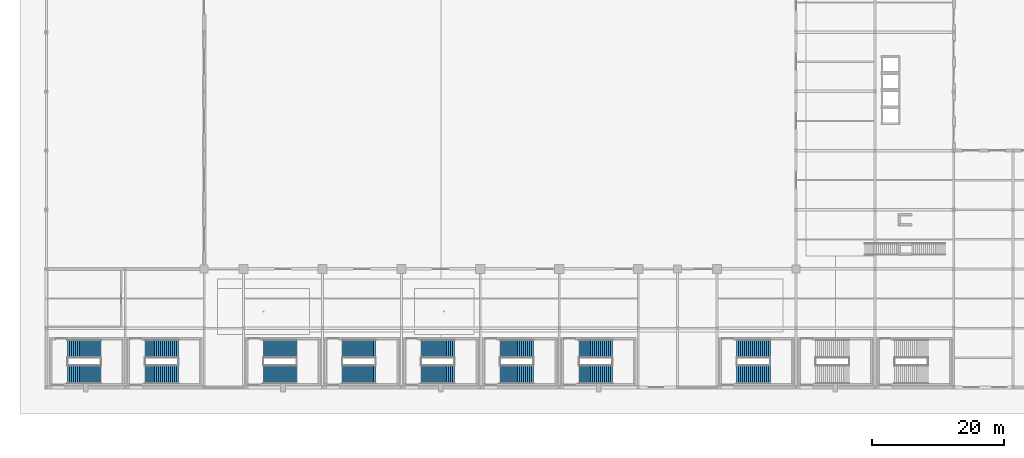
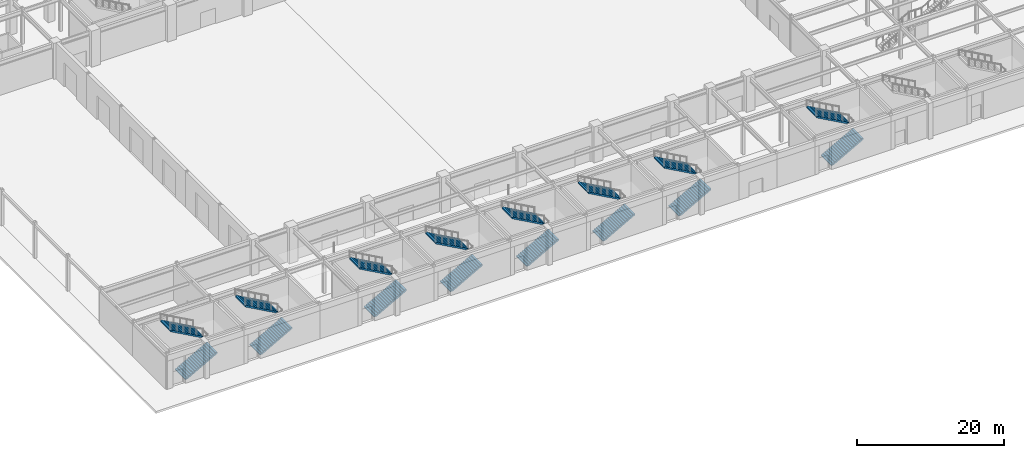
# One storey, part 31 of 44: 16 stair flights, 8 elements without a shape of their own.
"""IFC4 building model written with IfcOpenShell, lengths in metres."""

from ifc_helpers import new_model, si_unit, direction, frame, origin, place, context, subcontext, project, spatial, polyline, outline, extrude, material, type_object, element, aggregate, save


model = new_model("IFC4")

# Units and contexts
model_context = context("Model", 3, precision=1e-05, world=origin(), true_north=direction((0.0, 1.0)))
body_context = subcontext(model_context, "Body", "Model", "MODEL_VIEW")
ifc_project = project(units=[si_unit("LENGTHUNIT", "METRE"), si_unit("AREAUNIT", "SQUARE_METRE"), si_unit("VOLUMEUNIT", "CUBIC_METRE"), si_unit("PLANEANGLEUNIT", "RADIAN"), si_unit("MASSUNIT", "GRAM", prefix="KILO")], contexts=[model_context])

# Site, building, storey
site_placement = place(None, origin())
site = spatial("IfcSite", under=ifc_project, at=site_placement, CompositionType="ELEMENT")
building_placement = place(site_placement, origin())
building = spatial("IfcBuilding", under=site, at=building_placement, Name="Kaldorvane Square Convention Centre", CompositionType="ELEMENT")
storey_placement = place(building_placement, origin())
storey = spatial("IfcBuildingStorey", under=building, at=storey_placement, Name="L00", CompositionType="ELEMENT", Elevation=0.0)

# Stair, stair flights
ifc_material = material(Name="Concrete f'c = 42 MPa (Normalweight)", Category="concrete")
stair_type = type_object("IfcStairType", Name="ST-DL-2800-6000-D6710", PredefinedType="HALF_TURN_STAIR", material=ifc_material)
stair_1_placement = place(storey_placement, origin())
stair_1 = element("IfcStair", 1, at=stair_1_placement, inside=storey, type_object=stair_type, Name="Convention Exit Stair C1 (L00)", PredefinedType="HALF_TURN_STAIR")
stair_flight_type = type_object("IfcStairFlightType", Name="SF-STR-2800-18R", PredefinedType="STRAIGHT", material=ifc_material)
stair_flight_1_placement = place(storey_placement, frame((3.2100067138671875, 1.9499969482421875, 0.0), z_axis=(0.0, 0.0, 1.0), x_axis=(1.0, 0.0, 0.0)))
stair_flight_1 = element("IfcStairFlight", 2, at=stair_flight_1_placement, type_object=stair_flight_type, Name="Convention Exit Stair C1 Flight 1 (L00)", NumberOfRisers=18, NumberOfTreads=17, PredefinedType="STRAIGHT", RiserHeight=0.166666667, TreadLength=0.3, context=body_context, shape_type="SweptSolid", body=[
    extrude(outline(polyline([(0.0, 0.0), (0.0, 0.1666717529296875), (0.3000030517578125, 0.1666717529296875), (0.3000030517578125, 0.3333282470703125), (0.600006103515625, 0.3333282470703125), (0.600006103515625, 0.5), (0.899993896484375, 0.5), (0.899993896484375, 0.6666717529296875), (1.1999969482421875, 0.6666717529296875), (1.1999969482421875, 0.8333282470703125), (1.5, 0.8333282470703125), (1.5, 1.0), (1.8000030517578125, 1.0), (1.8000030517578125, 1.1666717529296875), (2.100006103515625, 1.1666717529296875), (2.100006103515625, 1.3333282470703125), (2.399993896484375, 1.3333282470703125), (2.399993896484375, 1.5), (2.6999969482421875, 1.5), (2.6999969482421875, 1.6666717529296875), (3.0, 1.6666717529296875), (3.0, 1.8333282470703125), (3.3000030517578125, 1.8333282470703125), (3.3000030517578125, 2.0), (3.600006103515625, 2.0), (3.600006103515625, 2.1666717529296875), (3.899993896484375, 2.1666717529296875), (3.899993896484375, 2.3333282470703125), (4.1999969482421875, 2.3333282470703125), (4.1999969482421875, 2.5), (4.5, 2.5), (4.5, 2.6666717529296875), (4.8000030517578125, 2.6666717529296875), (4.8000030517578125, 2.8333282470703125), (5.100006103515625, 2.8333282470703125), (5.100006103515625, 3.0), (5.100006103515625, 2.6045379638671875), (0.4118194580078125, 0.0), (0.0, 0.0)])), frame((0.0, 1.399993896484375, 0.0), z_axis=(0.0, -1.0, 0.0), x_axis=(1.0, 0.0, 0.0)), (0.0, 0.0, 1.0), 2.8000030517578125),
])
stair_flight_2_placement = place(storey_placement, frame((8.30999755859375, 5.8600006103515625, 3.0), z_axis=(0.0, 0.0, 1.0), x_axis=(-1.0, 0.0, 0.0)))
stair_flight_2 = element("IfcStairFlight", 3, at=stair_flight_2_placement, type_object=stair_flight_type, Name="Convention Exit Stair C1 Flight 2 (L00)", NumberOfRisers=18, NumberOfTreads=17, PredefinedType="STRAIGHT", RiserHeight=0.166666667, TreadLength=0.3, context=body_context, shape_type="SweptSolid", body=[
    extrude(outline(polyline([(0.0, 0.0), (0.0, 0.1666717529296875), (0.3000030517578125, 0.1666717529296875), (0.3000030517578125, 0.3333282470703125), (0.600006103515625, 0.3333282470703125), (0.600006103515625, 0.5), (0.899993896484375, 0.5), (0.899993896484375, 0.6666717529296875), (1.1999969482421875, 0.6666717529296875), (1.1999969482421875, 0.8333282470703125), (1.5, 0.8333282470703125), (1.5, 1.0), (1.8000030517578125, 1.0), (1.8000030517578125, 1.1666717529296875), (2.100006103515625, 1.1666717529296875), (2.100006103515625, 1.3333282470703125), (2.399993896484375, 1.3333282470703125), (2.399993896484375, 1.5), (2.6999969482421875, 1.5), (2.6999969482421875, 1.6666717529296875), (3.0, 1.6666717529296875), (3.0, 1.8333282470703125), (3.3000030517578125, 1.8333282470703125), (3.3000030517578125, 2.0), (3.600006103515625, 2.0), (3.600006103515625, 2.1666717529296875), (3.899993896484375, 2.1666717529296875), (3.899993896484375, 2.3333282470703125), (4.1999969482421875, 2.3333282470703125), (4.1999969482421875, 2.5), (4.5, 2.5), (4.5, 2.6666717529296875), (4.8000030517578125, 2.6666717529296875), (4.8000030517578125, 2.8333282470703125), (5.100006103515625, 2.8333282470703125), (5.100006103515625, 3.0), (5.100006103515625, 2.6045379638671875), (0.4118194580078125, 0.0), (0.0, 0.0)])), frame((0.0, 1.399993896484375, 0.0), z_axis=(0.0, -1.0, 0.0), x_axis=(1.0, 0.0, 0.0)), (0.0, 0.0, 1.0), 2.8000030517578125),
])
aggregate(stair_1, [stair_flight_1, stair_flight_2])

stair_2_placement = place(storey_placement, origin())
stair_2 = element("IfcStair", 4, at=stair_2_placement, inside=storey, type_object=stair_type, Name="Convention Exit Stair C2 (L00)", PredefinedType="HALF_TURN_STAIR")
stair_flight_3_placement = place(storey_placement, frame((14.990005493164062, 1.9499969482421875, 0.0), z_axis=(0.0, 0.0, 1.0), x_axis=(1.0, 0.0, 0.0)))
stair_flight_3 = element("IfcStairFlight", 5, at=stair_flight_3_placement, type_object=stair_flight_type, Name="Convention Exit Stair C2 Flight 1 (L00)", NumberOfRisers=18, NumberOfTreads=17, PredefinedType="STRAIGHT", RiserHeight=0.166666667, TreadLength=0.3, context=body_context, shape_type="SweptSolid", body=[
    extrude(outline(polyline([(0.0, 0.0), (0.0, 0.1666717529296875), (0.3000030517578125, 0.1666717529296875), (0.3000030517578125, 0.3333282470703125), (0.600006103515625, 0.3333282470703125), (0.600006103515625, 0.5), (0.899993896484375, 0.5), (0.899993896484375, 0.6666717529296875), (1.1999969482421875, 0.6666717529296875), (1.1999969482421875, 0.8333282470703125), (1.5, 0.8333282470703125), (1.5, 1.0), (1.8000030517578125, 1.0), (1.8000030517578125, 1.1666717529296875), (2.100006103515625, 1.1666717529296875), (2.100006103515625, 1.3333282470703125), (2.399993896484375, 1.3333282470703125), (2.399993896484375, 1.5), (2.6999969482421875, 1.5), (2.6999969482421875, 1.6666717529296875), (3.0, 1.6666717529296875), (3.0, 1.8333282470703125), (3.3000030517578125, 1.8333282470703125), (3.3000030517578125, 2.0), (3.600006103515625, 2.0), (3.600006103515625, 2.1666717529296875), (3.899993896484375, 2.1666717529296875), (3.899993896484375, 2.3333282470703125), (4.1999969482421875, 2.3333282470703125), (4.1999969482421875, 2.5), (4.5, 2.5), (4.5, 2.6666717529296875), (4.8000030517578125, 2.6666717529296875), (4.8000030517578125, 2.8333282470703125), (5.100006103515625, 2.8333282470703125), (5.100006103515625, 3.0), (5.100006103515625, 2.6045379638671875), (0.4118194580078125, 0.0), (0.0, 0.0)])), frame((0.0, 1.399993896484375, 0.0), z_axis=(0.0, -1.0, 0.0), x_axis=(1.0, 0.0, 0.0)), (0.0, 0.0, 1.0), 2.8000030517578125),
])
stair_flight_4_placement = place(storey_placement, frame((20.089996337890625, 5.8600006103515625, 3.0), z_axis=(0.0, 0.0, 1.0), x_axis=(-1.0, 0.0, 0.0)))
stair_flight_4 = element("IfcStairFlight", 6, at=stair_flight_4_placement, type_object=stair_flight_type, Name="Convention Exit Stair C2 Flight 2 (L00)", NumberOfRisers=18, NumberOfTreads=17, PredefinedType="STRAIGHT", RiserHeight=0.166666667, TreadLength=0.3, context=body_context, shape_type="SweptSolid", body=[
    extrude(outline(polyline([(0.0, 0.0), (0.0, 0.1666717529296875), (0.3000030517578125, 0.1666717529296875), (0.3000030517578125, 0.3333282470703125), (0.600006103515625, 0.3333282470703125), (0.600006103515625, 0.5), (0.899993896484375, 0.5), (0.899993896484375, 0.6666717529296875), (1.1999969482421875, 0.6666717529296875), (1.1999969482421875, 0.8333282470703125), (1.5, 0.8333282470703125), (1.5, 1.0), (1.8000030517578125, 1.0), (1.8000030517578125, 1.1666717529296875), (2.100006103515625, 1.1666717529296875), (2.100006103515625, 1.3333282470703125), (2.399993896484375, 1.3333282470703125), (2.399993896484375, 1.5), (2.6999969482421875, 1.5), (2.6999969482421875, 1.6666717529296875), (3.0, 1.6666717529296875), (3.0, 1.8333282470703125), (3.3000030517578125, 1.8333282470703125), (3.3000030517578125, 2.0), (3.600006103515625, 2.0), (3.600006103515625, 2.1666717529296875), (3.899993896484375, 2.1666717529296875), (3.899993896484375, 2.3333282470703125), (4.1999969482421875, 2.3333282470703125), (4.1999969482421875, 2.5), (4.5, 2.5), (4.5, 2.6666717529296875), (4.8000030517578125, 2.6666717529296875), (4.8000030517578125, 2.8333282470703125), (5.100006103515625, 2.8333282470703125), (5.100006103515625, 3.0), (5.100006103515625, 2.6045379638671875), (0.4118194580078125, 0.0), (0.0, 0.0)])), frame((0.0, 1.399993896484375, 0.0), z_axis=(0.0, -1.0, 0.0), x_axis=(1.0, 0.0, 0.0)), (0.0, 0.0, 1.0), 2.8000030517578125),
])
aggregate(stair_2, [stair_flight_3, stair_flight_4])

stair_3_placement = place(storey_placement, origin())
stair_3 = element("IfcStair", 7, at=stair_3_placement, inside=storey, type_object=stair_type, Name="Convention Exit Stair C3 (L00)", PredefinedType="HALF_TURN_STAIR")
stair_flight_5_placement = place(storey_placement, frame((32.99000549316406, 1.9499969482421875, 0.0), z_axis=(0.0, 0.0, 1.0), x_axis=(1.0, 0.0, 0.0)))
stair_flight_5 = element("IfcStairFlight", 8, at=stair_flight_5_placement, type_object=stair_flight_type, Name="Convention Exit Stair C3 Flight 1 (L00)", NumberOfRisers=18, NumberOfTreads=17, PredefinedType="STRAIGHT", RiserHeight=0.166666667, TreadLength=0.3, context=body_context, shape_type="SweptSolid", body=[
    extrude(outline(polyline([(0.0, 0.0), (0.0, 0.1666717529296875), (0.3000030517578125, 0.1666717529296875), (0.3000030517578125, 0.3333282470703125), (0.600006103515625, 0.3333282470703125), (0.600006103515625, 0.5), (0.899993896484375, 0.5), (0.899993896484375, 0.6666717529296875), (1.1999969482421875, 0.6666717529296875), (1.1999969482421875, 0.8333282470703125), (1.5, 0.8333282470703125), (1.5, 1.0), (1.8000030517578125, 1.0), (1.8000030517578125, 1.1666717529296875), (2.100006103515625, 1.1666717529296875), (2.100006103515625, 1.3333282470703125), (2.399993896484375, 1.3333282470703125), (2.399993896484375, 1.5), (2.6999969482421875, 1.5), (2.6999969482421875, 1.6666717529296875), (3.0, 1.6666717529296875), (3.0, 1.8333282470703125), (3.3000030517578125, 1.8333282470703125), (3.3000030517578125, 2.0), (3.600006103515625, 2.0), (3.600006103515625, 2.1666717529296875), (3.899993896484375, 2.1666717529296875), (3.899993896484375, 2.3333282470703125), (4.1999969482421875, 2.3333282470703125), (4.1999969482421875, 2.5), (4.5, 2.5), (4.5, 2.6666717529296875), (4.8000030517578125, 2.6666717529296875), (4.8000030517578125, 2.8333282470703125), (5.100006103515625, 2.8333282470703125), (5.100006103515625, 3.0), (5.100006103515625, 2.6045379638671875), (0.4118194580078125, 0.0), (0.0, 0.0)])), frame((0.0, 1.399993896484375, 0.0), z_axis=(0.0, -1.0, 0.0), x_axis=(1.0, 0.0, 0.0)), (0.0, 0.0, 1.0), 2.8000030517578125),
])
stair_flight_6_placement = place(storey_placement, frame((38.089996337890625, 5.8600006103515625, 3.0), z_axis=(0.0, 0.0, 1.0), x_axis=(-1.0, 0.0, 0.0)))
stair_flight_6 = element("IfcStairFlight", 9, at=stair_flight_6_placement, type_object=stair_flight_type, Name="Convention Exit Stair C3 Flight 2 (L00)", NumberOfRisers=18, NumberOfTreads=17, PredefinedType="STRAIGHT", RiserHeight=0.166666667, TreadLength=0.3, context=body_context, shape_type="SweptSolid", body=[
    extrude(outline(polyline([(0.0, 0.0), (0.0, 0.1666717529296875), (0.3000030517578125, 0.1666717529296875), (0.3000030517578125, 0.3333282470703125), (0.600006103515625, 0.3333282470703125), (0.600006103515625, 0.5), (0.899993896484375, 0.5), (0.899993896484375, 0.6666717529296875), (1.1999969482421875, 0.6666717529296875), (1.1999969482421875, 0.8333282470703125), (1.5, 0.8333282470703125), (1.5, 1.0), (1.8000030517578125, 1.0), (1.8000030517578125, 1.1666717529296875), (2.100006103515625, 1.1666717529296875), (2.100006103515625, 1.3333282470703125), (2.399993896484375, 1.3333282470703125), (2.399993896484375, 1.5), (2.6999969482421875, 1.5), (2.6999969482421875, 1.6666717529296875), (3.0, 1.6666717529296875), (3.0, 1.8333282470703125), (3.3000030517578125, 1.8333282470703125), (3.3000030517578125, 2.0), (3.600006103515625, 2.0), (3.600006103515625, 2.1666717529296875), (3.899993896484375, 2.1666717529296875), (3.899993896484375, 2.3333282470703125), (4.1999969482421875, 2.3333282470703125), (4.1999969482421875, 2.5), (4.5, 2.5), (4.5, 2.6666717529296875), (4.8000030517578125, 2.6666717529296875), (4.8000030517578125, 2.8333282470703125), (5.100006103515625, 2.8333282470703125), (5.100006103515625, 3.0), (5.100006103515625, 2.6045379638671875), (0.4118194580078125, 0.0), (0.0, 0.0)])), frame((0.0, 1.399993896484375, 0.0), z_axis=(0.0, -1.0, 0.0), x_axis=(1.0, 0.0, 0.0)), (0.0, 0.0, 1.0), 2.8000030517578125),
])
aggregate(stair_3, [stair_flight_5, stair_flight_6])

stair_4_placement = place(storey_placement, origin())
stair_4 = element("IfcStair", 10, at=stair_4_placement, inside=storey, type_object=stair_type, Name="Convention Exit Stair C4 (L00)", PredefinedType="HALF_TURN_STAIR")
stair_flight_7_placement = place(storey_placement, frame((44.99000549316406, 1.9499969482421875, 0.0), z_axis=(0.0, 0.0, 1.0), x_axis=(1.0, 0.0, 0.0)))
stair_flight_7 = element("IfcStairFlight", 11, at=stair_flight_7_placement, type_object=stair_flight_type, Name="Convention Exit Stair C4 Flight 1 (L00)", NumberOfRisers=18, NumberOfTreads=17, PredefinedType="STRAIGHT", RiserHeight=0.166666667, TreadLength=0.3, context=body_context, shape_type="SweptSolid", body=[
    extrude(outline(polyline([(0.0, 0.0), (0.0, 0.1666717529296875), (0.3000030517578125, 0.1666717529296875), (0.3000030517578125, 0.3333282470703125), (0.600006103515625, 0.3333282470703125), (0.600006103515625, 0.5), (0.899993896484375, 0.5), (0.899993896484375, 0.6666717529296875), (1.1999969482421875, 0.6666717529296875), (1.1999969482421875, 0.8333282470703125), (1.5, 0.8333282470703125), (1.5, 1.0), (1.8000030517578125, 1.0), (1.8000030517578125, 1.1666717529296875), (2.100006103515625, 1.1666717529296875), (2.100006103515625, 1.3333282470703125), (2.399993896484375, 1.3333282470703125), (2.399993896484375, 1.5), (2.6999969482421875, 1.5), (2.6999969482421875, 1.6666717529296875), (3.0, 1.6666717529296875), (3.0, 1.8333282470703125), (3.3000030517578125, 1.8333282470703125), (3.3000030517578125, 2.0), (3.600006103515625, 2.0), (3.600006103515625, 2.1666717529296875), (3.899993896484375, 2.1666717529296875), (3.899993896484375, 2.3333282470703125), (4.1999969482421875, 2.3333282470703125), (4.1999969482421875, 2.5), (4.5, 2.5), (4.5, 2.6666717529296875), (4.8000030517578125, 2.6666717529296875), (4.8000030517578125, 2.8333282470703125), (5.100006103515625, 2.8333282470703125), (5.100006103515625, 3.0), (5.100006103515625, 2.6045379638671875), (0.4118194580078125, 0.0), (0.0, 0.0)])), frame((0.0, 1.399993896484375, 0.0), z_axis=(0.0, -1.0, 0.0), x_axis=(1.0, 0.0, 0.0)), (0.0, 0.0, 1.0), 2.8000030517578125),
])
stair_flight_8_placement = place(storey_placement, frame((50.089996337890625, 5.8600006103515625, 3.0), z_axis=(0.0, 0.0, 1.0), x_axis=(-1.0, 0.0, 0.0)))
stair_flight_8 = element("IfcStairFlight", 12, at=stair_flight_8_placement, type_object=stair_flight_type, Name="Convention Exit Stair C4 Flight 2 (L00)", NumberOfRisers=18, NumberOfTreads=17, PredefinedType="STRAIGHT", RiserHeight=0.166666667, TreadLength=0.3, context=body_context, shape_type="SweptSolid", body=[
    extrude(outline(polyline([(0.0, 0.0), (0.0, 0.1666717529296875), (0.3000030517578125, 0.1666717529296875), (0.3000030517578125, 0.3333282470703125), (0.600006103515625, 0.3333282470703125), (0.600006103515625, 0.5), (0.899993896484375, 0.5), (0.899993896484375, 0.6666717529296875), (1.1999969482421875, 0.6666717529296875), (1.1999969482421875, 0.8333282470703125), (1.5, 0.8333282470703125), (1.5, 1.0), (1.8000030517578125, 1.0), (1.8000030517578125, 1.1666717529296875), (2.100006103515625, 1.1666717529296875), (2.100006103515625, 1.3333282470703125), (2.399993896484375, 1.3333282470703125), (2.399993896484375, 1.5), (2.6999969482421875, 1.5), (2.6999969482421875, 1.6666717529296875), (3.0, 1.6666717529296875), (3.0, 1.8333282470703125), (3.3000030517578125, 1.8333282470703125), (3.3000030517578125, 2.0), (3.600006103515625, 2.0), (3.600006103515625, 2.1666717529296875), (3.899993896484375, 2.1666717529296875), (3.899993896484375, 2.3333282470703125), (4.1999969482421875, 2.3333282470703125), (4.1999969482421875, 2.5), (4.5, 2.5), (4.5, 2.6666717529296875), (4.8000030517578125, 2.6666717529296875), (4.8000030517578125, 2.8333282470703125), (5.100006103515625, 2.8333282470703125), (5.100006103515625, 3.0), (5.100006103515625, 2.6045379638671875), (0.4118194580078125, 0.0), (0.0, 0.0)])), frame((0.0, 1.399993896484375, 0.0), z_axis=(0.0, -1.0, 0.0), x_axis=(1.0, 0.0, 0.0)), (0.0, 0.0, 1.0), 2.8000030517578125),
])
aggregate(stair_4, [stair_flight_7, stair_flight_8])

stair_5_placement = place(storey_placement, origin())
stair_5 = element("IfcStair", 13, at=stair_5_placement, inside=storey, type_object=stair_type, Name="Convention Exit Stair C5 (L00)", PredefinedType="HALF_TURN_STAIR")
stair_flight_9_placement = place(storey_placement, frame((56.99000549316406, 1.9499969482421875, 0.0), z_axis=(0.0, 0.0, 1.0), x_axis=(1.0, 0.0, 0.0)))
stair_flight_9 = element("IfcStairFlight", 14, at=stair_flight_9_placement, type_object=stair_flight_type, Name="Convention Exit Stair C5 Flight 1 (L00)", NumberOfRisers=18, NumberOfTreads=17, PredefinedType="STRAIGHT", RiserHeight=0.166666667, TreadLength=0.3, context=body_context, shape_type="SweptSolid", body=[
    extrude(outline(polyline([(0.0, 0.0), (0.0, 0.1666717529296875), (0.3000030517578125, 0.1666717529296875), (0.3000030517578125, 0.3333282470703125), (0.600006103515625, 0.3333282470703125), (0.600006103515625, 0.5), (0.899993896484375, 0.5), (0.899993896484375, 0.6666717529296875), (1.1999969482421875, 0.6666717529296875), (1.1999969482421875, 0.8333282470703125), (1.5, 0.8333282470703125), (1.5, 1.0), (1.8000030517578125, 1.0), (1.8000030517578125, 1.1666717529296875), (2.100006103515625, 1.1666717529296875), (2.100006103515625, 1.3333282470703125), (2.399993896484375, 1.3333282470703125), (2.399993896484375, 1.5), (2.6999969482421875, 1.5), (2.6999969482421875, 1.6666717529296875), (3.0, 1.6666717529296875), (3.0, 1.8333282470703125), (3.3000030517578125, 1.8333282470703125), (3.3000030517578125, 2.0), (3.600006103515625, 2.0), (3.600006103515625, 2.1666717529296875), (3.899993896484375, 2.1666717529296875), (3.899993896484375, 2.3333282470703125), (4.1999969482421875, 2.3333282470703125), (4.1999969482421875, 2.5), (4.5, 2.5), (4.5, 2.6666717529296875), (4.8000030517578125, 2.6666717529296875), (4.8000030517578125, 2.8333282470703125), (5.100006103515625, 2.8333282470703125), (5.100006103515625, 3.0), (5.100006103515625, 2.6045379638671875), (0.4118194580078125, 0.0), (0.0, 0.0)])), frame((0.0, 1.399993896484375, 0.0), z_axis=(0.0, -1.0, 0.0), x_axis=(1.0, 0.0, 0.0)), (0.0, 0.0, 1.0), 2.8000030517578125),
])
stair_flight_10_placement = place(storey_placement, frame((62.089996337890625, 5.8600006103515625, 3.0), z_axis=(0.0, 0.0, 1.0), x_axis=(-1.0, 0.0, 0.0)))
stair_flight_10 = element("IfcStairFlight", 15, at=stair_flight_10_placement, type_object=stair_flight_type, Name="Convention Exit Stair C5 Flight 2 (L00)", NumberOfRisers=18, NumberOfTreads=17, PredefinedType="STRAIGHT", RiserHeight=0.166666667, TreadLength=0.3, context=body_context, shape_type="SweptSolid", body=[
    extrude(outline(polyline([(0.0, 0.0), (0.0, 0.1666717529296875), (0.3000030517578125, 0.1666717529296875), (0.3000030517578125, 0.3333282470703125), (0.600006103515625, 0.3333282470703125), (0.600006103515625, 0.5), (0.899993896484375, 0.5), (0.899993896484375, 0.6666717529296875), (1.1999969482421875, 0.6666717529296875), (1.1999969482421875, 0.8333282470703125), (1.5, 0.8333282470703125), (1.5, 1.0), (1.8000030517578125, 1.0), (1.8000030517578125, 1.1666717529296875), (2.100006103515625, 1.1666717529296875), (2.100006103515625, 1.3333282470703125), (2.399993896484375, 1.3333282470703125), (2.399993896484375, 1.5), (2.6999969482421875, 1.5), (2.6999969482421875, 1.6666717529296875), (3.0, 1.6666717529296875), (3.0, 1.8333282470703125), (3.3000030517578125, 1.8333282470703125), (3.3000030517578125, 2.0), (3.600006103515625, 2.0), (3.600006103515625, 2.1666717529296875), (3.899993896484375, 2.1666717529296875), (3.899993896484375, 2.3333282470703125), (4.1999969482421875, 2.3333282470703125), (4.1999969482421875, 2.5), (4.5, 2.5), (4.5, 2.6666717529296875), (4.8000030517578125, 2.6666717529296875), (4.8000030517578125, 2.8333282470703125), (5.100006103515625, 2.8333282470703125), (5.100006103515625, 3.0), (5.100006103515625, 2.6045379638671875), (0.4118194580078125, 0.0), (0.0, 0.0)])), frame((0.0, 1.399993896484375, 0.0), z_axis=(0.0, -1.0, 0.0), x_axis=(1.0, 0.0, 0.0)), (0.0, 0.0, 1.0), 2.8000030517578125),
])
aggregate(stair_5, [stair_flight_9, stair_flight_10])

stair_6_placement = place(storey_placement, origin())
stair_6 = element("IfcStair", 16, at=stair_6_placement, inside=storey, type_object=stair_type, Name="Convention Exit Stair C6 (L00)", PredefinedType="HALF_TURN_STAIR")
stair_flight_11_placement = place(storey_placement, frame((68.99000549316406, 1.9499969482421875, 0.0), z_axis=(0.0, 0.0, 1.0), x_axis=(1.0, 0.0, 0.0)))
stair_flight_11 = element("IfcStairFlight", 17, at=stair_flight_11_placement, type_object=stair_flight_type, Name="Convention Exit Stair C6 Flight 1 (L00)", NumberOfRisers=18, NumberOfTreads=17, PredefinedType="STRAIGHT", RiserHeight=0.166666667, TreadLength=0.3, context=body_context, shape_type="SweptSolid", body=[
    extrude(outline(polyline([(0.0, 0.0), (0.0, 0.1666717529296875), (0.3000030517578125, 0.1666717529296875), (0.3000030517578125, 0.3333282470703125), (0.600006103515625, 0.3333282470703125), (0.600006103515625, 0.5), (0.899993896484375, 0.5), (0.899993896484375, 0.6666717529296875), (1.1999969482421875, 0.6666717529296875), (1.1999969482421875, 0.8333282470703125), (1.5, 0.8333282470703125), (1.5, 1.0), (1.8000030517578125, 1.0), (1.8000030517578125, 1.1666717529296875), (2.100006103515625, 1.1666717529296875), (2.100006103515625, 1.3333282470703125), (2.399993896484375, 1.3333282470703125), (2.399993896484375, 1.5), (2.6999969482421875, 1.5), (2.6999969482421875, 1.6666717529296875), (3.0, 1.6666717529296875), (3.0, 1.8333282470703125), (3.3000030517578125, 1.8333282470703125), (3.3000030517578125, 2.0), (3.600006103515625, 2.0), (3.600006103515625, 2.1666717529296875), (3.899993896484375, 2.1666717529296875), (3.899993896484375, 2.3333282470703125), (4.1999969482421875, 2.3333282470703125), (4.1999969482421875, 2.5), (4.5, 2.5), (4.5, 2.6666717529296875), (4.8000030517578125, 2.6666717529296875), (4.8000030517578125, 2.8333282470703125), (5.100006103515625, 2.8333282470703125), (5.100006103515625, 3.0), (5.100006103515625, 2.6045379638671875), (0.4118194580078125, 0.0), (0.0, 0.0)])), frame((0.0, 1.399993896484375, 0.0), z_axis=(0.0, -1.0, 0.0), x_axis=(1.0, 0.0, 0.0)), (0.0, 0.0, 1.0), 2.8000030517578125),
])
stair_flight_12_placement = place(storey_placement, frame((74.08999633789062, 5.8600006103515625, 3.0), z_axis=(0.0, 0.0, 1.0), x_axis=(-1.0, 0.0, 0.0)))
stair_flight_12 = element("IfcStairFlight", 18, at=stair_flight_12_placement, type_object=stair_flight_type, Name="Convention Exit Stair C6 Flight 2 (L00)", NumberOfRisers=18, NumberOfTreads=17, PredefinedType="STRAIGHT", RiserHeight=0.166666667, TreadLength=0.3, context=body_context, shape_type="SweptSolid", body=[
    extrude(outline(polyline([(0.0, 0.0), (0.0, 0.1666717529296875), (0.3000030517578125, 0.1666717529296875), (0.3000030517578125, 0.3333282470703125), (0.600006103515625, 0.3333282470703125), (0.600006103515625, 0.5), (0.899993896484375, 0.5), (0.899993896484375, 0.6666717529296875), (1.1999969482421875, 0.6666717529296875), (1.1999969482421875, 0.8333282470703125), (1.5, 0.8333282470703125), (1.5, 1.0), (1.8000030517578125, 1.0), (1.8000030517578125, 1.1666717529296875), (2.100006103515625, 1.1666717529296875), (2.100006103515625, 1.3333282470703125), (2.399993896484375, 1.3333282470703125), (2.399993896484375, 1.5), (2.6999969482421875, 1.5), (2.6999969482421875, 1.6666717529296875), (3.0, 1.6666717529296875), (3.0, 1.8333282470703125), (3.3000030517578125, 1.8333282470703125), (3.3000030517578125, 2.0), (3.600006103515625, 2.0), (3.600006103515625, 2.1666717529296875), (3.899993896484375, 2.1666717529296875), (3.899993896484375, 2.3333282470703125), (4.1999969482421875, 2.3333282470703125), (4.1999969482421875, 2.5), (4.5, 2.5), (4.5, 2.6666717529296875), (4.8000030517578125, 2.6666717529296875), (4.8000030517578125, 2.8333282470703125), (5.100006103515625, 2.8333282470703125), (5.100006103515625, 3.0), (5.100006103515625, 2.6045379638671875), (0.4118194580078125, 0.0), (0.0, 0.0)])), frame((0.0, 1.399993896484375, 0.0), z_axis=(0.0, -1.0, 0.0), x_axis=(1.0, 0.0, 0.0)), (0.0, 0.0, 1.0), 2.8000030517578125),
])
aggregate(stair_6, [stair_flight_11, stair_flight_12])

stair_7_placement = place(storey_placement, origin())
stair_7 = element("IfcStair", 19, at=stair_7_placement, inside=storey, type_object=stair_type, Name="Convention Exit Stair C7 (L00)", PredefinedType="HALF_TURN_STAIR")
stair_flight_13_placement = place(storey_placement, frame((80.99000549316406, 1.9499969482421875, 0.0), z_axis=(0.0, 0.0, 1.0), x_axis=(1.0, 0.0, 0.0)))
stair_flight_13 = element("IfcStairFlight", 20, at=stair_flight_13_placement, type_object=stair_flight_type, Name="Convention Exit Stair C7 Flight 1 (L00)", NumberOfRisers=18, NumberOfTreads=17, PredefinedType="STRAIGHT", RiserHeight=0.166666667, TreadLength=0.3, context=body_context, shape_type="SweptSolid", body=[
    extrude(outline(polyline([(0.0, 0.0), (0.0, 0.1666717529296875), (0.3000030517578125, 0.1666717529296875), (0.3000030517578125, 0.3333282470703125), (0.600006103515625, 0.3333282470703125), (0.600006103515625, 0.5), (0.899993896484375, 0.5), (0.899993896484375, 0.6666717529296875), (1.1999969482421875, 0.6666717529296875), (1.1999969482421875, 0.8333282470703125), (1.5, 0.8333282470703125), (1.5, 1.0), (1.8000030517578125, 1.0), (1.8000030517578125, 1.1666717529296875), (2.100006103515625, 1.1666717529296875), (2.100006103515625, 1.3333282470703125), (2.399993896484375, 1.3333282470703125), (2.399993896484375, 1.5), (2.6999969482421875, 1.5), (2.6999969482421875, 1.6666717529296875), (3.0, 1.6666717529296875), (3.0, 1.8333282470703125), (3.3000030517578125, 1.8333282470703125), (3.3000030517578125, 2.0), (3.600006103515625, 2.0), (3.600006103515625, 2.1666717529296875), (3.899993896484375, 2.1666717529296875), (3.899993896484375, 2.3333282470703125), (4.1999969482421875, 2.3333282470703125), (4.1999969482421875, 2.5), (4.5, 2.5), (4.5, 2.6666717529296875), (4.8000030517578125, 2.6666717529296875), (4.8000030517578125, 2.8333282470703125), (5.100006103515625, 2.8333282470703125), (5.100006103515625, 3.0), (5.100006103515625, 2.6045379638671875), (0.4118194580078125, 0.0), (0.0, 0.0)])), frame((0.0, 1.399993896484375, 0.0), z_axis=(0.0, -1.0, 0.0), x_axis=(1.0, 0.0, 0.0)), (0.0, 0.0, 1.0), 2.8000030517578125),
])
stair_flight_14_placement = place(storey_placement, frame((86.08999633789062, 5.8600006103515625, 3.0), z_axis=(0.0, 0.0, 1.0), x_axis=(-1.0, 0.0, 0.0)))
stair_flight_14 = element("IfcStairFlight", 21, at=stair_flight_14_placement, type_object=stair_flight_type, Name="Convention Exit Stair C7 Flight 2 (L00)", NumberOfRisers=18, NumberOfTreads=17, PredefinedType="STRAIGHT", RiserHeight=0.166666667, TreadLength=0.3, context=body_context, shape_type="SweptSolid", body=[
    extrude(outline(polyline([(0.0, 0.0), (0.0, 0.1666717529296875), (0.3000030517578125, 0.1666717529296875), (0.3000030517578125, 0.3333282470703125), (0.600006103515625, 0.3333282470703125), (0.600006103515625, 0.5), (0.899993896484375, 0.5), (0.899993896484375, 0.6666717529296875), (1.1999969482421875, 0.6666717529296875), (1.1999969482421875, 0.8333282470703125), (1.5, 0.8333282470703125), (1.5, 1.0), (1.8000030517578125, 1.0), (1.8000030517578125, 1.1666717529296875), (2.100006103515625, 1.1666717529296875), (2.100006103515625, 1.3333282470703125), (2.399993896484375, 1.3333282470703125), (2.399993896484375, 1.5), (2.6999969482421875, 1.5), (2.6999969482421875, 1.6666717529296875), (3.0, 1.6666717529296875), (3.0, 1.8333282470703125), (3.3000030517578125, 1.8333282470703125), (3.3000030517578125, 2.0), (3.600006103515625, 2.0), (3.600006103515625, 2.1666717529296875), (3.899993896484375, 2.1666717529296875), (3.899993896484375, 2.3333282470703125), (4.1999969482421875, 2.3333282470703125), (4.1999969482421875, 2.5), (4.5, 2.5), (4.5, 2.6666717529296875), (4.8000030517578125, 2.6666717529296875), (4.8000030517578125, 2.8333282470703125), (5.100006103515625, 2.8333282470703125), (5.100006103515625, 3.0), (5.100006103515625, 2.6045379638671875), (0.4118194580078125, 0.0), (0.0, 0.0)])), frame((0.0, 1.399993896484375, 0.0), z_axis=(0.0, -1.0, 0.0), x_axis=(1.0, 0.0, 0.0)), (0.0, 0.0, 1.0), 2.8000030517578125),
])
aggregate(stair_7, [stair_flight_13, stair_flight_14])

stair_8_placement = place(storey_placement, origin())
stair_8 = element("IfcStair", 22, at=stair_8_placement, inside=storey, type_object=stair_type, Name="Convention Exit Stair C8 (L00)", PredefinedType="HALF_TURN_STAIR")
stair_flight_15_placement = place(storey_placement, frame((104.99000549316406, 1.9499969482421875, 0.0), z_axis=(0.0, 0.0, 1.0), x_axis=(1.0, 0.0, 0.0)))
stair_flight_15 = element("IfcStairFlight", 23, at=stair_flight_15_placement, type_object=stair_flight_type, Name="Convention Exit Stair C8 Flight 1 (L00)", NumberOfRisers=18, NumberOfTreads=17, PredefinedType="STRAIGHT", RiserHeight=0.166666667, TreadLength=0.3, context=body_context, shape_type="SweptSolid", body=[
    extrude(outline(polyline([(0.0, 0.0), (0.0, 0.1666717529296875), (0.3000030517578125, 0.1666717529296875), (0.3000030517578125, 0.3333282470703125), (0.600006103515625, 0.3333282470703125), (0.600006103515625, 0.5), (0.899993896484375, 0.5), (0.899993896484375, 0.6666717529296875), (1.1999969482421875, 0.6666717529296875), (1.1999969482421875, 0.8333282470703125), (1.5, 0.8333282470703125), (1.5, 1.0), (1.8000030517578125, 1.0), (1.8000030517578125, 1.1666717529296875), (2.100006103515625, 1.1666717529296875), (2.100006103515625, 1.3333282470703125), (2.399993896484375, 1.3333282470703125), (2.399993896484375, 1.5), (2.6999969482421875, 1.5), (2.6999969482421875, 1.6666717529296875), (3.0, 1.6666717529296875), (3.0, 1.8333282470703125), (3.3000030517578125, 1.8333282470703125), (3.3000030517578125, 2.0), (3.600006103515625, 2.0), (3.600006103515625, 2.1666717529296875), (3.899993896484375, 2.1666717529296875), (3.899993896484375, 2.3333282470703125), (4.1999969482421875, 2.3333282470703125), (4.1999969482421875, 2.5), (4.5, 2.5), (4.5, 2.6666717529296875), (4.8000030517578125, 2.6666717529296875), (4.8000030517578125, 2.8333282470703125), (5.100006103515625, 2.8333282470703125), (5.100006103515625, 3.0), (5.100006103515625, 2.6045379638671875), (0.4118194580078125, 0.0), (0.0, 0.0)])), frame((0.0, 1.399993896484375, 0.0), z_axis=(0.0, -1.0, 0.0), x_axis=(1.0, 0.0, 0.0)), (0.0, 0.0, 1.0), 2.8000030517578125),
])
stair_flight_16_placement = place(storey_placement, frame((110.08999633789062, 5.8600006103515625, 3.0), z_axis=(0.0, 0.0, 1.0), x_axis=(-1.0, 0.0, 0.0)))
stair_flight_16 = element("IfcStairFlight", 24, at=stair_flight_16_placement, type_object=stair_flight_type, Name="Convention Exit Stair C8 Flight 2 (L00)", NumberOfRisers=18, NumberOfTreads=17, PredefinedType="STRAIGHT", RiserHeight=0.166666667, TreadLength=0.3, context=body_context, shape_type="SweptSolid", body=[
    extrude(outline(polyline([(0.0, 0.0), (0.0, 0.1666717529296875), (0.3000030517578125, 0.1666717529296875), (0.3000030517578125, 0.3333282470703125), (0.600006103515625, 0.3333282470703125), (0.600006103515625, 0.5), (0.899993896484375, 0.5), (0.899993896484375, 0.6666717529296875), (1.1999969482421875, 0.6666717529296875), (1.1999969482421875, 0.8333282470703125), (1.5, 0.8333282470703125), (1.5, 1.0), (1.8000030517578125, 1.0), (1.8000030517578125, 1.1666717529296875), (2.100006103515625, 1.1666717529296875), (2.100006103515625, 1.3333282470703125), (2.399993896484375, 1.3333282470703125), (2.399993896484375, 1.5), (2.6999969482421875, 1.5), (2.6999969482421875, 1.6666717529296875), (3.0, 1.6666717529296875), (3.0, 1.8333282470703125), (3.3000030517578125, 1.8333282470703125), (3.3000030517578125, 2.0), (3.600006103515625, 2.0), (3.600006103515625, 2.1666717529296875), (3.899993896484375, 2.1666717529296875), (3.899993896484375, 2.3333282470703125), (4.1999969482421875, 2.3333282470703125), (4.1999969482421875, 2.5), (4.5, 2.5), (4.5, 2.6666717529296875), (4.8000030517578125, 2.6666717529296875), (4.8000030517578125, 2.8333282470703125), (5.100006103515625, 2.8333282470703125), (5.100006103515625, 3.0), (5.100006103515625, 2.6045379638671875), (0.4118194580078125, 0.0), (0.0, 0.0)])), frame((0.0, 1.399993896484375, 0.0), z_axis=(0.0, -1.0, 0.0), x_axis=(1.0, 0.0, 0.0)), (0.0, 0.0, 1.0), 2.8000030517578125),
])
aggregate(stair_8, [stair_flight_15, stair_flight_16])

save(model, "model.ifc")
